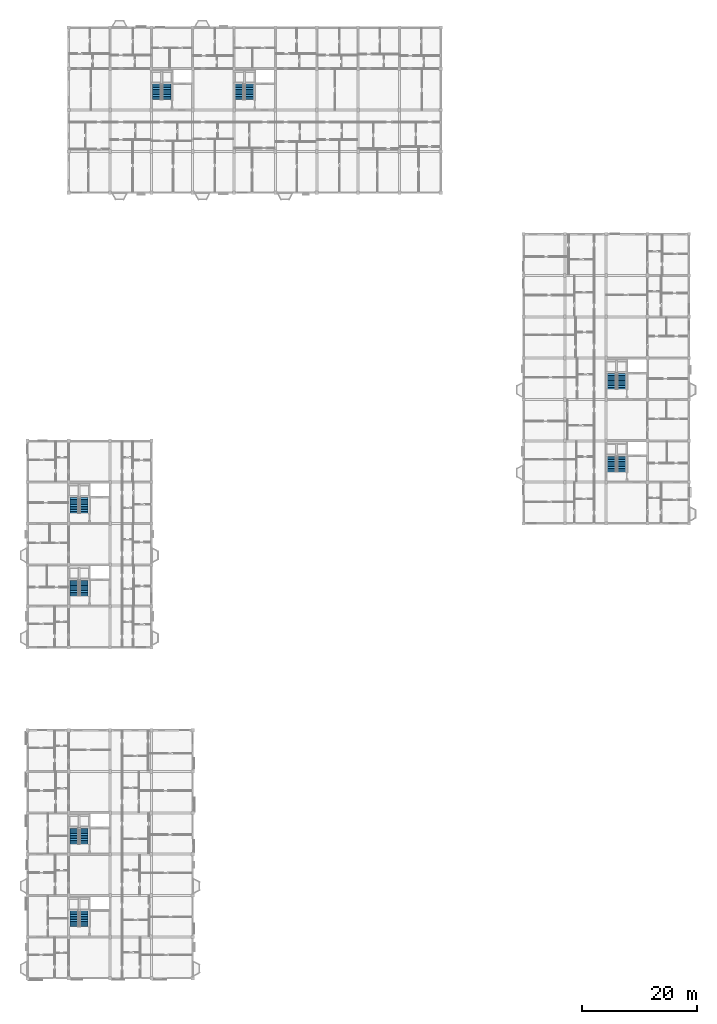
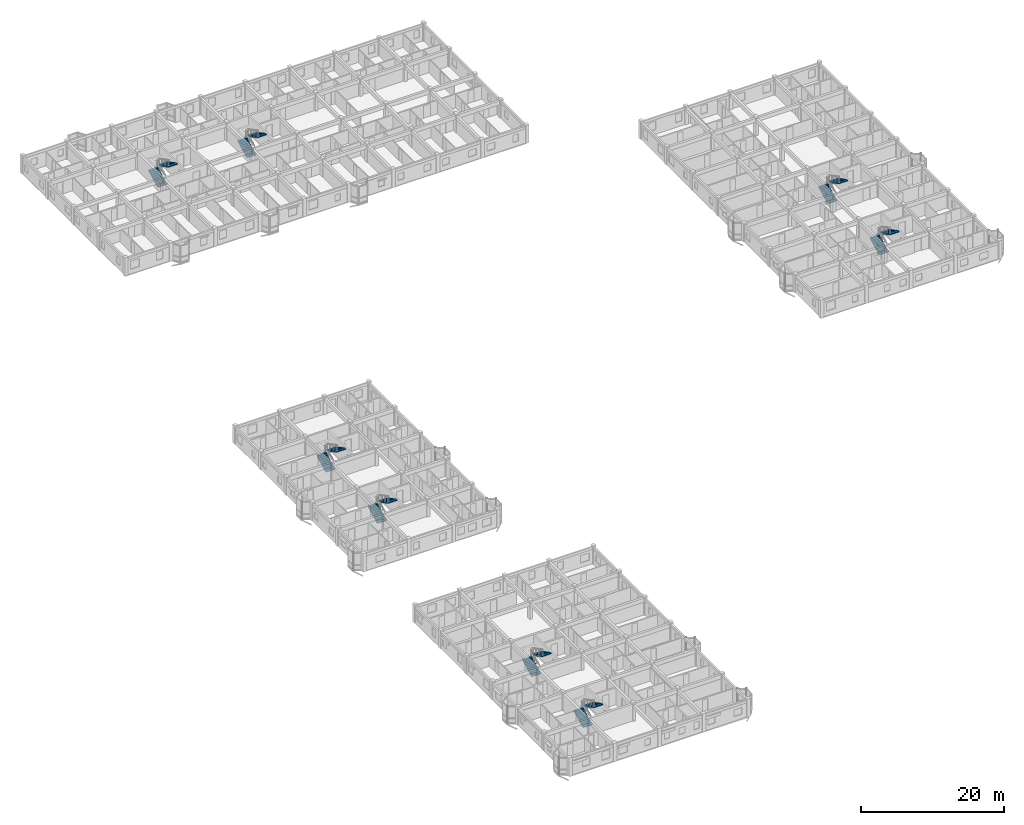
# One storey, part 73 of 77: 16 stair flights, 8 elements without a shape of their own.
"""IFC4 building model written with IfcOpenShell, lengths in metres."""

from ifc_helpers import new_model, si_unit, direction, frame, origin, place, context, subcontext, project, spatial, polyline, outline, extrude, material, type_object, element, aggregate, save


model = new_model("IFC4")

# Units and contexts
model_context = context("Model", 3, precision=1e-05, world=origin(), true_north=direction((0.0, 1.0)))
body_context = subcontext(model_context, "Body", "Model", "MODEL_VIEW")
ifc_project = project(units=[si_unit("LENGTHUNIT", "METRE"), si_unit("AREAUNIT", "SQUARE_METRE"), si_unit("VOLUMEUNIT", "CUBIC_METRE"), si_unit("PLANEANGLEUNIT", "RADIAN"), si_unit("MASSUNIT", "GRAM", prefix="KILO"), si_unit("THERMODYNAMICTEMPERATUREUNIT", "KELVIN"), si_unit("POWERUNIT", "WATT")], contexts=[model_context])

# Site, building, storey
site_placement = place(None, origin())
site = spatial("IfcSite", under=ifc_project, at=site_placement, CompositionType="ELEMENT")
building_placement = place(site_placement, origin())
building = spatial("IfcBuilding", under=site, at=building_placement, Name="Tavuni Mirador Residences", CompositionType="ELEMENT")
storey_placement = place(building_placement, frame((0.0, 0.0, 10.800048828125)))
storey = spatial("IfcBuildingStorey", under=building, at=storey_placement, Name="L03", CompositionType="ELEMENT", Elevation=10.800048828125)

# Stair, stair flights
ifc_material = material(Name="Precast concrete C40/50", Category="concrete")
stair_type = type_object("IfcStairType", Name="STT-TYP", PredefinedType="HALF_TURN_STAIR", material=ifc_material)
stair_1_placement = place(storey_placement, origin())
stair_1 = element("IfcStair", 1, at=stair_1_placement, inside=storey, type_object=stair_type, Name="Protected exit stair ST1 (L03)", PredefinedType="HALF_TURN_STAIR")
stair_flight_type = type_object("IfcStairFlightType", Name="SFT-1500", PredefinedType="STRAIGHT", material=ifc_material)
stair_flight_1_placement = place(storey_placement, frame((11.75, 16.199951171875, 0.0), z_axis=(0.0, 0.0, 1.0), x_axis=(0.0, 1.0, 0.0)))
stair_flight_1 = element("IfcStairFlight", 2, at=stair_flight_1_placement, type_object=stair_flight_type, Name="ST1 flight 1", NumberOfRisers=10, NumberOfTreads=9, PredefinedType="STRAIGHT", RiserHeight=0.1575, TreadLength=0.3, context=body_context, shape_type="SweptSolid", body=[
    extrude(outline(polyline([(0.0, 0.0), (0.0, 0.157470703125), (0.300048828125, 0.157470703125), (0.300048828125, 0.31494140625), (0.60009765625, 0.31494140625), (0.60009765625, 0.472412109375), (0.89990234375, 0.472412109375), (0.89990234375, 0.6298828125), (1.199951171875, 0.6298828125), (1.199951171875, 0.78759765625), (1.5, 0.78759765625), (1.5, 0.945068359375), (1.800048828125, 0.945068359375), (1.800048828125, 1.1025390625), (2.10009765625, 1.1025390625), (2.10009765625, 1.260009765625), (2.39990234375, 1.260009765625), (2.39990234375, 1.41748046875), (2.699951171875, 1.41748046875), (2.699951171875, 1.574951171875), (2.699951171875, 1.23681640625), (0.343994140625, 0.0), (0.0, 0.0)])), frame((0.0, 0.75, 0.0), z_axis=(0.0, -1.0, 0.0), x_axis=(1.0, 0.0, 0.0)), (0.0, 0.0, 1.0), 1.5),
])
stair_flight_2_placement = place(storey_placement, frame((13.449951171875, 18.89990234375, 1.574951171875), z_axis=(0.0, 0.0, 1.0), x_axis=(0.0, -1.0, 0.0)))
stair_flight_2 = element("IfcStairFlight", 3, at=stair_flight_2_placement, type_object=stair_flight_type, Name="ST1 flight 2", NumberOfRisers=10, NumberOfTreads=9, PredefinedType="STRAIGHT", RiserHeight=0.1575, TreadLength=0.3, context=body_context, shape_type="SweptSolid", body=[
    extrude(outline(polyline([(0.0, 0.0), (0.0, 0.157470703125), (0.300048828125, 0.157470703125), (0.300048828125, 0.31494140625), (0.60009765625, 0.31494140625), (0.60009765625, 0.472412109375), (0.89990234375, 0.472412109375), (0.89990234375, 0.6298828125), (1.199951171875, 0.6298828125), (1.199951171875, 0.78759765625), (1.5, 0.78759765625), (1.5, 0.945068359375), (1.800048828125, 0.945068359375), (1.800048828125, 1.1025390625), (2.10009765625, 1.1025390625), (2.10009765625, 1.260009765625), (2.39990234375, 1.260009765625), (2.39990234375, 1.41748046875), (2.699951171875, 1.41748046875), (2.699951171875, 1.574951171875), (2.699951171875, 1.23681640625), (0.343994140625, 0.0), (0.0, 0.0)])), frame((0.0, 0.75, 0.0), z_axis=(0.0, -1.0, 0.0), x_axis=(1.0, 0.0, 0.0)), (0.0, 0.0, 1.0), 1.5),
])
aggregate(stair_1, [stair_flight_1, stair_flight_2])

stair_2_placement = place(storey_placement, origin())
stair_2 = element("IfcStair", 4, at=stair_2_placement, inside=storey, type_object=stair_type, Name="Protected exit stair ST2 (L03)", PredefinedType="HALF_TURN_STAIR")
stair_flight_3_placement = place(storey_placement, frame((11.75, 30.60009765625, 0.0), z_axis=(0.0, 0.0, 1.0), x_axis=(0.0, 1.0, 0.0)))
stair_flight_3 = element("IfcStairFlight", 5, at=stair_flight_3_placement, type_object=stair_flight_type, Name="ST2 flight 1", NumberOfRisers=10, NumberOfTreads=9, PredefinedType="STRAIGHT", RiserHeight=0.1575, TreadLength=0.3, context=body_context, shape_type="SweptSolid", body=[
    extrude(outline(polyline([(0.0, 0.0), (0.0, 0.157470703125), (0.300048828125, 0.157470703125), (0.300048828125, 0.31494140625), (0.60009765625, 0.31494140625), (0.60009765625, 0.472412109375), (0.89990234375, 0.472412109375), (0.89990234375, 0.6298828125), (1.199951171875, 0.6298828125), (1.199951171875, 0.78759765625), (1.5, 0.78759765625), (1.5, 0.945068359375), (1.800048828125, 0.945068359375), (1.800048828125, 1.1025390625), (2.10009765625, 1.1025390625), (2.10009765625, 1.260009765625), (2.39990234375, 1.260009765625), (2.39990234375, 1.41748046875), (2.699951171875, 1.41748046875), (2.699951171875, 1.574951171875), (2.699951171875, 1.23681640625), (0.343994140625, 0.0), (0.0, 0.0)])), frame((0.0, 0.75, 0.0), z_axis=(0.0, -1.0, 0.0), x_axis=(1.0, 0.0, 0.0)), (0.0, 0.0, 1.0), 1.5),
])
stair_flight_4_placement = place(storey_placement, frame((13.449951171875, 33.300048828125, 1.574951171875), z_axis=(0.0, 0.0, 1.0), x_axis=(0.0, -1.0, 0.0)))
stair_flight_4 = element("IfcStairFlight", 6, at=stair_flight_4_placement, type_object=stair_flight_type, Name="ST2 flight 2", NumberOfRisers=10, NumberOfTreads=9, PredefinedType="STRAIGHT", RiserHeight=0.1575, TreadLength=0.3, context=body_context, shape_type="SweptSolid", body=[
    extrude(outline(polyline([(0.0, 0.0), (0.0, 0.157470703125), (0.300048828125, 0.157470703125), (0.300048828125, 0.31494140625), (0.60009765625, 0.31494140625), (0.60009765625, 0.472412109375), (0.89990234375, 0.472412109375), (0.89990234375, 0.6298828125), (1.199951171875, 0.6298828125), (1.199951171875, 0.78759765625), (1.5, 0.78759765625), (1.5, 0.945068359375), (1.800048828125, 0.945068359375), (1.800048828125, 1.1025390625), (2.10009765625, 1.1025390625), (2.10009765625, 1.260009765625), (2.39990234375, 1.260009765625), (2.39990234375, 1.41748046875), (2.699951171875, 1.41748046875), (2.699951171875, 1.574951171875), (2.699951171875, 1.23681640625), (0.343994140625, 0.0), (0.0, 0.0)])), frame((0.0, 0.75, 0.0), z_axis=(0.0, -1.0, 0.0), x_axis=(1.0, 0.0, 0.0)), (0.0, 0.0, 1.0), 1.5),
])
aggregate(stair_2, [stair_flight_3, stair_flight_4])

stair_3_placement = place(storey_placement, origin())
stair_3 = element("IfcStair", 7, at=stair_3_placement, inside=storey, type_object=stair_type, Name="Protected exit stair ST3 (L03)", PredefinedType="HALF_TURN_STAIR")
stair_flight_5_placement = place(storey_placement, frame((11.75, 73.800048828125, 0.0), z_axis=(0.0, 0.0, 1.0), x_axis=(0.0, 1.0, 0.0)))
stair_flight_5 = element("IfcStairFlight", 8, at=stair_flight_5_placement, type_object=stair_flight_type, Name="ST3 flight 1", NumberOfRisers=10, NumberOfTreads=9, PredefinedType="STRAIGHT", RiserHeight=0.1575, TreadLength=0.3, context=body_context, shape_type="SweptSolid", body=[
    extrude(outline(polyline([(0.0, 0.0), (0.0, 0.157470703125), (0.300048828125, 0.157470703125), (0.300048828125, 0.31494140625), (0.60009765625, 0.31494140625), (0.60009765625, 0.472412109375), (0.89990234375, 0.472412109375), (0.89990234375, 0.6298828125), (1.199951171875, 0.6298828125), (1.199951171875, 0.78759765625), (1.5, 0.78759765625), (1.5, 0.945068359375), (1.800048828125, 0.945068359375), (1.800048828125, 1.1025390625), (2.10009765625, 1.1025390625), (2.10009765625, 1.260009765625), (2.39990234375, 1.260009765625), (2.39990234375, 1.41748046875), (2.699951171875, 1.41748046875), (2.699951171875, 1.574951171875), (2.699951171875, 1.23681640625), (0.343994140625, 0.0), (0.0, 0.0)])), frame((0.0, 0.75, 0.0), z_axis=(0.0, -1.0, 0.0), x_axis=(1.0, 0.0, 0.0)), (0.0, 0.0, 1.0), 1.5),
])
stair_flight_6_placement = place(storey_placement, frame((13.449951171875, 76.5, 1.574951171875), z_axis=(0.0, 0.0, 1.0), x_axis=(0.0, -1.0, 0.0)))
stair_flight_6 = element("IfcStairFlight", 9, at=stair_flight_6_placement, type_object=stair_flight_type, Name="ST3 flight 2", NumberOfRisers=10, NumberOfTreads=9, PredefinedType="STRAIGHT", RiserHeight=0.1575, TreadLength=0.3, context=body_context, shape_type="SweptSolid", body=[
    extrude(outline(polyline([(0.0, 0.0), (0.0, 0.157470703125), (0.300048828125, 0.157470703125), (0.300048828125, 0.31494140625), (0.60009765625, 0.31494140625), (0.60009765625, 0.472412109375), (0.89990234375, 0.472412109375), (0.89990234375, 0.6298828125), (1.199951171875, 0.6298828125), (1.199951171875, 0.78759765625), (1.5, 0.78759765625), (1.5, 0.945068359375), (1.800048828125, 0.945068359375), (1.800048828125, 1.1025390625), (2.10009765625, 1.1025390625), (2.10009765625, 1.260009765625), (2.39990234375, 1.260009765625), (2.39990234375, 1.41748046875), (2.699951171875, 1.41748046875), (2.699951171875, 1.574951171875), (2.699951171875, 1.23681640625), (0.343994140625, 0.0), (0.0, 0.0)])), frame((0.0, 0.75, 0.0), z_axis=(0.0, -1.0, 0.0), x_axis=(1.0, 0.0, 0.0)), (0.0, 0.0, 1.0), 1.5),
])
aggregate(stair_3, [stair_flight_5, stair_flight_6])

stair_4_placement = place(storey_placement, origin())
stair_4 = element("IfcStair", 10, at=stair_4_placement, inside=storey, type_object=stair_type, Name="Protected exit stair ST4 (L03)", PredefinedType="HALF_TURN_STAIR")
stair_flight_7_placement = place(storey_placement, frame((11.75, 88.199951171875, 0.0), z_axis=(0.0, 0.0, 1.0), x_axis=(0.0, 1.0, 0.0)))
stair_flight_7 = element("IfcStairFlight", 11, at=stair_flight_7_placement, type_object=stair_flight_type, Name="ST4 flight 1", NumberOfRisers=10, NumberOfTreads=9, PredefinedType="STRAIGHT", RiserHeight=0.1575, TreadLength=0.3, context=body_context, shape_type="SweptSolid", body=[
    extrude(outline(polyline([(0.0, 0.0), (0.0, 0.157470703125), (0.300048828125, 0.157470703125), (0.300048828125, 0.31494140625), (0.60009765625, 0.31494140625), (0.60009765625, 0.472412109375), (0.89990234375, 0.472412109375), (0.89990234375, 0.6298828125), (1.199951171875, 0.6298828125), (1.199951171875, 0.78759765625), (1.5, 0.78759765625), (1.5, 0.945068359375), (1.800048828125, 0.945068359375), (1.800048828125, 1.1025390625), (2.10009765625, 1.1025390625), (2.10009765625, 1.260009765625), (2.39990234375, 1.260009765625), (2.39990234375, 1.41748046875), (2.699951171875, 1.41748046875), (2.699951171875, 1.574951171875), (2.699951171875, 1.23681640625), (0.343994140625, 0.0), (0.0, 0.0)])), frame((0.0, 0.75, 0.0), z_axis=(0.0, -1.0, 0.0), x_axis=(1.0, 0.0, 0.0)), (0.0, 0.0, 1.0), 1.5),
])
stair_flight_8_placement = place(storey_placement, frame((13.449951171875, 90.89990234375, 1.574951171875), z_axis=(0.0, 0.0, 1.0), x_axis=(0.0, -1.0, 0.0)))
stair_flight_8 = element("IfcStairFlight", 12, at=stair_flight_8_placement, type_object=stair_flight_type, Name="ST4 flight 2", NumberOfRisers=10, NumberOfTreads=9, PredefinedType="STRAIGHT", RiserHeight=0.1575, TreadLength=0.3, context=body_context, shape_type="SweptSolid", body=[
    extrude(outline(polyline([(0.0, 0.0), (0.0, 0.157470703125), (0.300048828125, 0.157470703125), (0.300048828125, 0.31494140625), (0.60009765625, 0.31494140625), (0.60009765625, 0.472412109375), (0.89990234375, 0.472412109375), (0.89990234375, 0.6298828125), (1.199951171875, 0.6298828125), (1.199951171875, 0.78759765625), (1.5, 0.78759765625), (1.5, 0.945068359375), (1.800048828125, 0.945068359375), (1.800048828125, 1.1025390625), (2.10009765625, 1.1025390625), (2.10009765625, 1.260009765625), (2.39990234375, 1.260009765625), (2.39990234375, 1.41748046875), (2.699951171875, 1.41748046875), (2.699951171875, 1.574951171875), (2.699951171875, 1.23681640625), (0.343994140625, 0.0), (0.0, 0.0)])), frame((0.0, 0.75, 0.0), z_axis=(0.0, -1.0, 0.0), x_axis=(1.0, 0.0, 0.0)), (0.0, 0.0, 1.0), 1.5),
])
aggregate(stair_4, [stair_flight_7, stair_flight_8])

stair_5_placement = place(storey_placement, origin())
stair_5 = element("IfcStair", 13, at=stair_5_placement, inside=storey, type_object=stair_type, Name="Protected exit stair ST5 (L03)", PredefinedType="HALF_TURN_STAIR")
stair_flight_9_placement = place(storey_placement, frame((26.14990234375, 160.199951171875, 0.0), z_axis=(0.0, 0.0, 1.0), x_axis=(0.0, 1.0, 0.0)))
stair_flight_9 = element("IfcStairFlight", 14, at=stair_flight_9_placement, type_object=stair_flight_type, Name="ST5 flight 1", NumberOfRisers=10, NumberOfTreads=9, PredefinedType="STRAIGHT", RiserHeight=0.1575, TreadLength=0.3, context=body_context, shape_type="SweptSolid", body=[
    extrude(outline(polyline([(0.0, 0.0), (0.0, 0.157470703125), (0.300048828125, 0.157470703125), (0.300048828125, 0.31494140625), (0.60009765625, 0.31494140625), (0.60009765625, 0.472412109375), (0.89990234375, 0.472412109375), (0.89990234375, 0.6298828125), (1.199951171875, 0.6298828125), (1.199951171875, 0.78759765625), (1.5, 0.78759765625), (1.5, 0.945068359375), (1.800048828125, 0.945068359375), (1.800048828125, 1.1025390625), (2.10009765625, 1.1025390625), (2.10009765625, 1.260009765625), (2.39990234375, 1.260009765625), (2.39990234375, 1.41748046875), (2.699951171875, 1.41748046875), (2.699951171875, 1.574951171875), (2.699951171875, 1.23681640625), (0.343994140625, 0.0), (0.0, 0.0)])), frame((0.0, 0.75, 0.0), z_axis=(0.0, -1.0, 0.0), x_axis=(1.0, 0.0, 0.0)), (0.0, 0.0, 1.0), 1.5),
])
stair_flight_10_placement = place(storey_placement, frame((27.85009765625, 162.89990234375, 1.574951171875), z_axis=(0.0, 0.0, 1.0), x_axis=(0.0, -1.0, 0.0)))
stair_flight_10 = element("IfcStairFlight", 15, at=stair_flight_10_placement, type_object=stair_flight_type, Name="ST5 flight 2", NumberOfRisers=10, NumberOfTreads=9, PredefinedType="STRAIGHT", RiserHeight=0.1575, TreadLength=0.3, context=body_context, shape_type="SweptSolid", body=[
    extrude(outline(polyline([(0.0, 0.0), (0.0, 0.157470703125), (0.300048828125, 0.157470703125), (0.300048828125, 0.31494140625), (0.60009765625, 0.31494140625), (0.60009765625, 0.472412109375), (0.89990234375, 0.472412109375), (0.89990234375, 0.6298828125), (1.199951171875, 0.6298828125), (1.199951171875, 0.78759765625), (1.5, 0.78759765625), (1.5, 0.945068359375), (1.800048828125, 0.945068359375), (1.800048828125, 1.1025390625), (2.10009765625, 1.1025390625), (2.10009765625, 1.260009765625), (2.39990234375, 1.260009765625), (2.39990234375, 1.41748046875), (2.699951171875, 1.41748046875), (2.699951171875, 1.574951171875), (2.699951171875, 1.23681640625), (0.343994140625, 0.0), (0.0, 0.0)])), frame((0.0, 0.75, 0.0), z_axis=(0.0, -1.0, 0.0), x_axis=(1.0, 0.0, 0.0)), (0.0, 0.0, 1.0), 1.5),
])
aggregate(stair_5, [stair_flight_9, stair_flight_10])

stair_6_placement = place(storey_placement, origin())
stair_6 = element("IfcStair", 16, at=stair_6_placement, inside=storey, type_object=stair_type, Name="Protected exit stair ST6 (L03)", PredefinedType="HALF_TURN_STAIR")
stair_flight_11_placement = place(storey_placement, frame((40.550048828125, 160.199951171875, 0.0), z_axis=(0.0, 0.0, 1.0), x_axis=(0.0, 1.0, 0.0)))
stair_flight_11 = element("IfcStairFlight", 17, at=stair_flight_11_placement, type_object=stair_flight_type, Name="ST6 flight 1", NumberOfRisers=10, NumberOfTreads=9, PredefinedType="STRAIGHT", RiserHeight=0.1575, TreadLength=0.3, context=body_context, shape_type="SweptSolid", body=[
    extrude(outline(polyline([(0.0, 0.0), (0.0, 0.157470703125), (0.300048828125, 0.157470703125), (0.300048828125, 0.31494140625), (0.60009765625, 0.31494140625), (0.60009765625, 0.472412109375), (0.89990234375, 0.472412109375), (0.89990234375, 0.6298828125), (1.199951171875, 0.6298828125), (1.199951171875, 0.78759765625), (1.5, 0.78759765625), (1.5, 0.945068359375), (1.800048828125, 0.945068359375), (1.800048828125, 1.1025390625), (2.10009765625, 1.1025390625), (2.10009765625, 1.260009765625), (2.39990234375, 1.260009765625), (2.39990234375, 1.41748046875), (2.699951171875, 1.41748046875), (2.699951171875, 1.574951171875), (2.699951171875, 1.23681640625), (0.343994140625, 0.0), (0.0, 0.0)])), frame((0.0, 0.75, 0.0), z_axis=(0.0, -1.0, 0.0), x_axis=(1.0, 0.0, 0.0)), (0.0, 0.0, 1.0), 1.5),
])
stair_flight_12_placement = place(storey_placement, frame((42.25, 162.89990234375, 1.574951171875), z_axis=(0.0, 0.0, 1.0), x_axis=(0.0, -1.0, 0.0)))
stair_flight_12 = element("IfcStairFlight", 18, at=stair_flight_12_placement, type_object=stair_flight_type, Name="ST6 flight 2", NumberOfRisers=10, NumberOfTreads=9, PredefinedType="STRAIGHT", RiserHeight=0.1575, TreadLength=0.3, context=body_context, shape_type="SweptSolid", body=[
    extrude(outline(polyline([(0.0, 0.0), (0.0, 0.157470703125), (0.300048828125, 0.157470703125), (0.300048828125, 0.31494140625), (0.60009765625, 0.31494140625), (0.60009765625, 0.472412109375), (0.89990234375, 0.472412109375), (0.89990234375, 0.6298828125), (1.199951171875, 0.6298828125), (1.199951171875, 0.78759765625), (1.5, 0.78759765625), (1.5, 0.945068359375), (1.800048828125, 0.945068359375), (1.800048828125, 1.1025390625), (2.10009765625, 1.1025390625), (2.10009765625, 1.260009765625), (2.39990234375, 1.260009765625), (2.39990234375, 1.41748046875), (2.699951171875, 1.41748046875), (2.699951171875, 1.574951171875), (2.699951171875, 1.23681640625), (0.343994140625, 0.0), (0.0, 0.0)])), frame((0.0, 0.75, 0.0), z_axis=(0.0, -1.0, 0.0), x_axis=(1.0, 0.0, 0.0)), (0.0, 0.0, 1.0), 1.5),
])
aggregate(stair_6, [stair_flight_11, stair_flight_12])

stair_7_placement = place(storey_placement, origin())
stair_7 = element("IfcStair", 19, at=stair_7_placement, inside=storey, type_object=stair_type, Name="Protected exit stair ST7 (L03)", PredefinedType="HALF_TURN_STAIR")
stair_flight_13_placement = place(storey_placement, frame((105.35009765625, 95.39990234375, 0.0), z_axis=(0.0, 0.0, 1.0), x_axis=(0.0, 1.0, 0.0)))
stair_flight_13 = element("IfcStairFlight", 20, at=stair_flight_13_placement, type_object=stair_flight_type, Name="ST7 flight 1", NumberOfRisers=10, NumberOfTreads=9, PredefinedType="STRAIGHT", RiserHeight=0.1575, TreadLength=0.3, context=body_context, shape_type="SweptSolid", body=[
    extrude(outline(polyline([(0.0, 0.0), (0.0, 0.157470703125), (0.300048828125, 0.157470703125), (0.300048828125, 0.31494140625), (0.60009765625, 0.31494140625), (0.60009765625, 0.472412109375), (0.89990234375, 0.472412109375), (0.89990234375, 0.6298828125), (1.199951171875, 0.6298828125), (1.199951171875, 0.78759765625), (1.5, 0.78759765625), (1.5, 0.945068359375), (1.800048828125, 0.945068359375), (1.800048828125, 1.1025390625), (2.10009765625, 1.1025390625), (2.10009765625, 1.260009765625), (2.39990234375, 1.260009765625), (2.39990234375, 1.41748046875), (2.699951171875, 1.41748046875), (2.699951171875, 1.574951171875), (2.699951171875, 1.23681640625), (0.343994140625, 0.0), (0.0, 0.0)])), frame((0.0, 0.75, 0.0), z_axis=(0.0, -1.0, 0.0), x_axis=(1.0, 0.0, 0.0)), (0.0, 0.0, 1.0), 1.5),
])
stair_flight_14_placement = place(storey_placement, frame((107.050048828125, 98.10009765625, 1.574951171875), z_axis=(0.0, 0.0, 1.0), x_axis=(0.0, -1.0, 0.0)))
stair_flight_14 = element("IfcStairFlight", 21, at=stair_flight_14_placement, type_object=stair_flight_type, Name="ST7 flight 2", NumberOfRisers=10, NumberOfTreads=9, PredefinedType="STRAIGHT", RiserHeight=0.1575, TreadLength=0.3, context=body_context, shape_type="SweptSolid", body=[
    extrude(outline(polyline([(0.0, 0.0), (0.0, 0.157470703125), (0.300048828125, 0.157470703125), (0.300048828125, 0.31494140625), (0.60009765625, 0.31494140625), (0.60009765625, 0.472412109375), (0.89990234375, 0.472412109375), (0.89990234375, 0.6298828125), (1.199951171875, 0.6298828125), (1.199951171875, 0.78759765625), (1.5, 0.78759765625), (1.5, 0.945068359375), (1.800048828125, 0.945068359375), (1.800048828125, 1.1025390625), (2.10009765625, 1.1025390625), (2.10009765625, 1.260009765625), (2.39990234375, 1.260009765625), (2.39990234375, 1.41748046875), (2.699951171875, 1.41748046875), (2.699951171875, 1.574951171875), (2.699951171875, 1.23681640625), (0.343994140625, 0.0), (0.0, 0.0)])), frame((0.0, 0.75, 0.0), z_axis=(0.0, -1.0, 0.0), x_axis=(1.0, 0.0, 0.0)), (0.0, 0.0, 1.0), 1.5),
])
aggregate(stair_7, [stair_flight_13, stair_flight_14])

stair_8_placement = place(storey_placement, origin())
stair_8 = element("IfcStair", 22, at=stair_8_placement, inside=storey, type_object=stair_type, Name="Protected exit stair ST8 (L03)", PredefinedType="HALF_TURN_STAIR")
stair_flight_15_placement = place(storey_placement, frame((105.35009765625, 109.800048828125, 0.0), z_axis=(0.0, 0.0, 1.0), x_axis=(0.0, 1.0, 0.0)))
stair_flight_15 = element("IfcStairFlight", 23, at=stair_flight_15_placement, type_object=stair_flight_type, Name="ST8 flight 1", NumberOfRisers=10, NumberOfTreads=9, PredefinedType="STRAIGHT", RiserHeight=0.1575, TreadLength=0.3, context=body_context, shape_type="SweptSolid", body=[
    extrude(outline(polyline([(0.0, 0.0), (0.0, 0.157470703125), (0.300048828125, 0.157470703125), (0.300048828125, 0.31494140625), (0.60009765625, 0.31494140625), (0.60009765625, 0.472412109375), (0.89990234375, 0.472412109375), (0.89990234375, 0.6298828125), (1.199951171875, 0.6298828125), (1.199951171875, 0.78759765625), (1.5, 0.78759765625), (1.5, 0.945068359375), (1.800048828125, 0.945068359375), (1.800048828125, 1.1025390625), (2.10009765625, 1.1025390625), (2.10009765625, 1.260009765625), (2.39990234375, 1.260009765625), (2.39990234375, 1.41748046875), (2.699951171875, 1.41748046875), (2.699951171875, 1.574951171875), (2.699951171875, 1.23681640625), (0.343994140625, 0.0), (0.0, 0.0)])), frame((0.0, 0.75, 0.0), z_axis=(0.0, -1.0, 0.0), x_axis=(1.0, 0.0, 0.0)), (0.0, 0.0, 1.0), 1.5),
])
stair_flight_16_placement = place(storey_placement, frame((107.050048828125, 112.5, 1.574951171875), z_axis=(0.0, 0.0, 1.0), x_axis=(0.0, -1.0, 0.0)))
stair_flight_16 = element("IfcStairFlight", 24, at=stair_flight_16_placement, type_object=stair_flight_type, Name="ST8 flight 2", NumberOfRisers=10, NumberOfTreads=9, PredefinedType="STRAIGHT", RiserHeight=0.1575, TreadLength=0.3, context=body_context, shape_type="SweptSolid", body=[
    extrude(outline(polyline([(0.0, 0.0), (0.0, 0.157470703125), (0.300048828125, 0.157470703125), (0.300048828125, 0.31494140625), (0.60009765625, 0.31494140625), (0.60009765625, 0.472412109375), (0.89990234375, 0.472412109375), (0.89990234375, 0.6298828125), (1.199951171875, 0.6298828125), (1.199951171875, 0.78759765625), (1.5, 0.78759765625), (1.5, 0.945068359375), (1.800048828125, 0.945068359375), (1.800048828125, 1.1025390625), (2.10009765625, 1.1025390625), (2.10009765625, 1.260009765625), (2.39990234375, 1.260009765625), (2.39990234375, 1.41748046875), (2.699951171875, 1.41748046875), (2.699951171875, 1.574951171875), (2.699951171875, 1.23681640625), (0.343994140625, 0.0), (0.0, 0.0)])), frame((0.0, 0.75, 0.0), z_axis=(0.0, -1.0, 0.0), x_axis=(1.0, 0.0, 0.0)), (0.0, 0.0, 1.0), 1.5),
])
aggregate(stair_8, [stair_flight_15, stair_flight_16])

save(model, "model.ifc")
